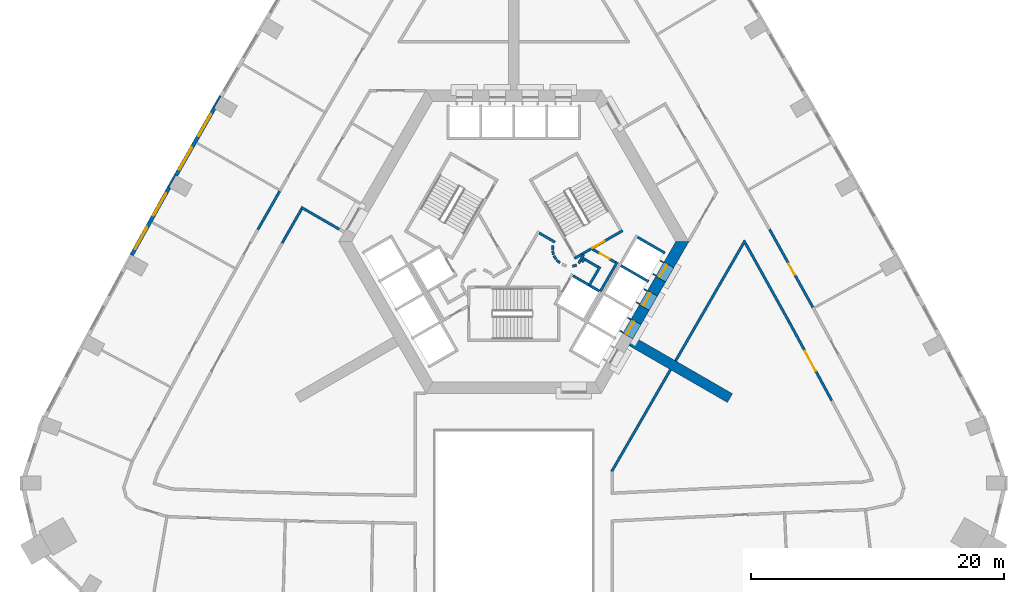
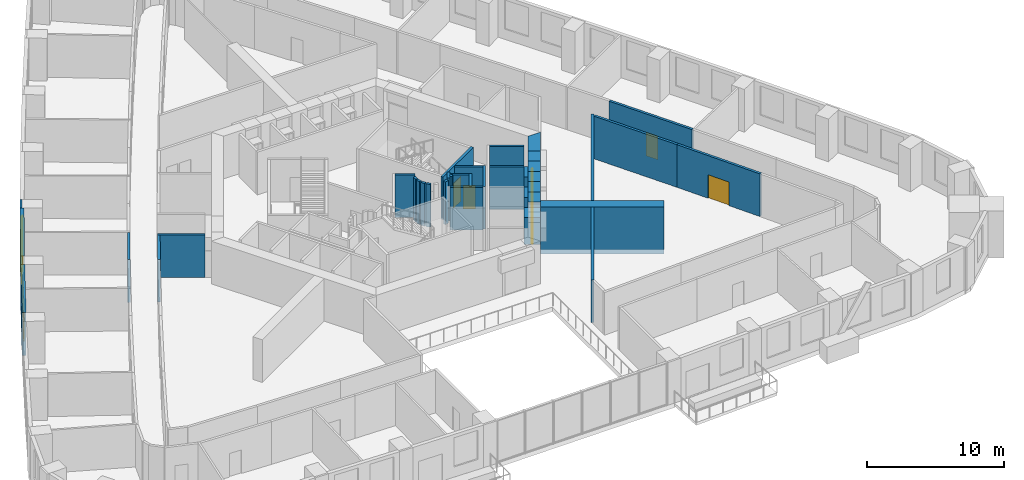
# One storey, part 7 of 14: 38 walls, 7 doors, 4 windows, 11 openings.
"""IFC4 building model written with IfcOpenShell, lengths in metres."""

from ifc_helpers import new_model, si_unit, direction, frame, frame_2d, origin, place, context, subcontext, project, spatial, polyline, rectangle, outline, extrude, material, layer, layer_set, type_object, element, fill, save


model = new_model("IFC4")

# Units and contexts
model_context = context("Model", 3, precision=1e-05, world=origin(), true_north=direction((0.0, 1.0)))
body_context = subcontext(model_context, "Body", "Model", "MODEL_VIEW")
ifc_project = project(units=[si_unit("LENGTHUNIT", "METRE"), si_unit("AREAUNIT", "SQUARE_METRE"), si_unit("VOLUMEUNIT", "CUBIC_METRE"), si_unit("PLANEANGLEUNIT", "RADIAN"), si_unit("MASSUNIT", "GRAM", prefix="KILO")], contexts=[model_context])

# Site, building, storey
site_placement = place(None, origin())
site = spatial("IfcSite", under=ifc_project, at=site_placement, CompositionType="ELEMENT")
building_placement = place(site_placement, origin())
building = spatial("IfcBuilding", under=site, at=building_placement, Name="Entoto Arch Interchange Tower", CompositionType="ELEMENT")
storey_placement = place(building_placement, frame((0.0, 0.0, 116.0)))
storey = spatial("IfcBuildingStorey", under=building, at=storey_placement, Name="L25", CompositionType="ELEMENT", Elevation=116.0)

# Walls
ifc_material_1 = material(Name="Concrete C60/75", Category="concrete")
ifc_layer_1 = layer(ifc_material_1, 0.800048828125)
ifc_layer_set_1 = layer_set([ifc_layer_1], Name="Concrete C60/75")
wall_type_1 = type_object("IfcWallType", Name="Buttress wall 800 C60/75", PredefinedType="SHEAR", material=ifc_layer_set_1)
wall_1_placement = place(storey_placement, frame((9.31005859375, -5.375, -0.39990234375), z_axis=(0.0, 0.0, 1.0), x_axis=(0.866017533419, -0.500013631625, 0.0)))
element("IfcWall", 1, at=wall_1_placement, inside=storey, type_object=wall_type_1, Name="Buttress wall SE L25", PredefinedType="SHEAR", context=body_context, shape_type="SweptSolid", body=[
    extrude(rectangle(XDim=8.999755859375, YDim=0.800048828125, at=frame_2d((4.5, 0.0))), origin(), (0.0, 0.0, 1.0), 4.199951171875),
])
ifc_layer_2 = layer(ifc_material_1, 0.89990234375)
ifc_layer_set_2 = layer_set([ifc_layer_2], Name="Concrete C60/75")
wall_type_2 = type_object("IfcWallType", Name="Core wall 900 C60/75", PredefinedType="SHEAR", material=ifc_layer_set_2)
wall_2_placement = place(storey_placement, frame((0.0, 0.0, -0.39990234375)))
element("IfcWall", 2, at=wall_2_placement, inside=storey, type_object=wall_type_2, Name="Core wall SE L25", PredefinedType="SHEAR", context=body_context, shape_type="SweptSolid", body=[
    extrude(outline(polyline([(10.717041015625, -2.93701171875), (9.93798828125, -2.487060546875), (9.2880859375, -3.613037109375), (10.06689453125, -4.06298828125), (10.717041015625, -2.93701171875)])), origin(), (0.0, 0.0, 1.0), 4.199951171875),
])
wall_3_placement = place(storey_placement, frame((0.0, 0.0, -0.39990234375)))
element("IfcWall", 3, at=wall_3_placement, inside=storey, type_object=wall_type_2, Name="Core wall SE L25", PredefinedType="SHEAR", context=body_context, shape_type="SweptSolid", body=[
    extrude(outline(polyline([(12.01708984375, -0.68603515625), (11.238037109375, -0.236083984375), (10.587890625, -1.361083984375), (11.366943359375, -1.81103515625), (12.01708984375, -0.68603515625)])), origin(), (0.0, 0.0, 1.0), 4.199951171875),
])
wall_4_placement = place(storey_placement, frame((0.0, 0.0, -0.39990234375)))
element("IfcWall", 4, at=wall_4_placement, inside=storey, type_object=wall_type_2, Name="Core wall SE L25", PredefinedType="SHEAR", context=body_context, shape_type="SweptSolid", body=[
    extrude(outline(polyline([(11.887939453125, 0.889892578125), (12.6669921875, 0.43994140625), (13.85595703125, 2.5), (12.81689453125, 2.5), (11.887939453125, 0.889892578125)])), origin(), (0.0, 0.0, 1.0), 4.199951171875),
])
wall_5_placement = place(storey_placement, frame((0.0, 0.0, 3.60009765625)))
element("IfcWall", 5, at=wall_5_placement, inside=storey, type_object=wall_type_2, Name="Core wall lintel SE L25", PredefinedType="SHEAR", context=body_context, shape_type="SweptSolid", body=[
    extrude(outline(polyline([(10.06689453125, -4.06298828125), (9.2880859375, -3.613037109375), (8.637939453125, -4.739013671875), (9.4169921875, -5.18896484375), (10.06689453125, -4.06298828125)])), origin(), (0.0, 0.0, 1.0), 0.199951171875),
])
wall_6_placement = place(storey_placement, frame((0.0, 0.0, 3.60009765625)))
element("IfcWall", 6, at=wall_6_placement, inside=storey, type_object=wall_type_2, Name="Core wall lintel SE L25", PredefinedType="SHEAR", context=body_context, shape_type="SweptSolid", body=[
    extrude(outline(polyline([(11.366943359375, -1.81103515625), (10.587890625, -1.361083984375), (9.93798828125, -2.487060546875), (10.717041015625, -2.93701171875), (11.366943359375, -1.81103515625)])), origin(), (0.0, 0.0, 1.0), 0.199951171875),
])
wall_7_placement = place(storey_placement, frame((0.0, 0.0, 3.60009765625)))
element("IfcWall", 7, at=wall_7_placement, inside=storey, type_object=wall_type_2, Name="Core wall lintel SE L25", PredefinedType="SHEAR", context=body_context, shape_type="SweptSolid", body=[
    extrude(outline(polyline([(12.6669921875, 0.43994140625), (11.887939453125, 0.889892578125), (11.238037109375, -0.236083984375), (12.01708984375, -0.68603515625), (12.6669921875, 0.43994140625)])), origin(), (0.0, 0.0, 1.0), 0.199951171875),
])

# Wall, opening, door
ifc_material_2 = material(Name="Concrete C40/50", Category="concrete")
ifc_layer_3 = layer(ifc_material_2, 1.199951171875)
ifc_layer_set_3 = layer_set([ifc_layer_3], Name="Concrete C40/50")
wall_type_3 = type_object("IfcWallType", Name="LIFT LANDING INFILL WALL", PredefinedType="STANDARD", material=ifc_layer_set_3)
wall_8_placement = place(storey_placement, frame((8.89794921875, -4.888916015625, 0.0), z_axis=(0.0, 0.0, 1.0), x_axis=(0.500036693733, 0.866004217611, 0.0)))
wall_8 = element("IfcWall", 8, at=wall_8_placement, inside=storey, type_object=wall_type_3, Name="Lift landing infill wall LR6 L25", PredefinedType="STANDARD", context=body_context, shape_type="SweptSolid", body=[
    extrude(rectangle(XDim=1.30029296875, YDim=1.199951171875, at=frame_2d((0.650146484375, 0.0))), origin(), (0.0, 0.0, 1.0), 2.39990234375),
])
opening_1_placement = place(wall_8_placement, frame((0.10009765625, 0.0, 0.0)))
opening_1 = element("IfcOpeningElement", 9, at=opening_1_placement, cuts=wall_8, Name="Opening LD-LR6-L25", PredefinedType="OPENING", context=body_context, shape_type="SweptSolid", body=[
    extrude(rectangle(XDim=1.10009765625, YDim=2.300048828125, at=frame_2d((0.550048828125, 1.14990234375))), frame((0.0, 0.60986328125, 0.0), z_axis=(0.0, -1.0, 0.0), x_axis=(1.0, 0.0, 0.0)), (0.0, 0.0, 1.0), 1.219970703125),
])
ifc_material_3 = material(Name="Stainless steel 1.4301 panels", Category="steel")
door_type_1 = type_object("IfcDoorType", Name="LIFT LANDING DOOR LD2 1100x2300", OperationType="SLIDING_TO_LEFT", PredefinedType="DOOR", material=ifc_material_3)
door_1_placement = place(opening_1_placement, origin())
door_1 = element("IfcDoor", 10, at=door_1_placement, inside=storey, type_object=door_type_1, Name="Lift landing door LR6 L25", OperationType="SLIDING_TO_LEFT", OverallHeight=2.300048828125, OverallWidth=1.10009765625, PredefinedType="DOOR", context=body_context, shape_type="SweptSolid", body=[
    extrude(rectangle(XDim=1.10009765625, YDim=2.300048828125, at=frame_2d((0.550048828125, 1.14990234375))), frame((0.0, 0.02490234375, 0.0), z_axis=(0.0, -1.0, 0.0), x_axis=(1.0, 0.0, 0.0)), (0.0, 0.0, 1.0), 0.050048828125),
])
fill(opening_1, door_1)

wall_9_placement = place(storey_placement, frame((10.197998046875, -2.636962890625, 0.0), z_axis=(0.0, 0.0, 1.0), x_axis=(0.49989585183, 0.866085525409, 0.0)))
wall_9 = element("IfcWall", 11, at=wall_9_placement, inside=storey, type_object=wall_type_3, Name="Lift landing infill wall LR7 L25", PredefinedType="STANDARD", context=body_context, shape_type="SweptSolid", body=[
    extrude(rectangle(XDim=1.300048828125, YDim=1.199951171875, at=frame_2d((0.64990234375, 0.0))), origin(), (0.0, 0.0, 1.0), 2.39990234375),
])
opening_2_placement = place(wall_9_placement, frame((0.10009765625, 0.0, 0.0)))
opening_2 = element("IfcOpeningElement", 12, at=opening_2_placement, cuts=wall_9, Name="Opening LD-LR7-L25", PredefinedType="OPENING", context=body_context, shape_type="SweptSolid", body=[
    extrude(rectangle(XDim=1.10009765625, YDim=2.300048828125, at=frame_2d((0.550048828125, 1.14990234375))), frame((0.0, 0.60986328125, 0.0), z_axis=(0.0, -1.0, 0.0), x_axis=(1.0, 0.0, 0.0)), (0.0, 0.0, 1.0), 1.219970703125),
])
door_2_placement = place(opening_2_placement, origin())
door_2 = element("IfcDoor", 13, at=door_2_placement, inside=storey, type_object=door_type_1, Name="Lift landing door LR7 L25", OperationType="SLIDING_TO_LEFT", OverallHeight=2.300048828125, OverallWidth=1.10009765625, PredefinedType="DOOR", context=body_context, shape_type="SweptSolid", body=[
    extrude(rectangle(XDim=1.10009765625, YDim=2.300048828125, at=frame_2d((0.550048828125, 1.14990234375))), frame((0.0, 0.02490234375, 0.0), z_axis=(0.0, -1.0, 0.0), x_axis=(1.0, 0.0, 0.0)), (0.0, 0.0, 1.0), 0.050048828125),
])
fill(opening_2, door_2)

wall_10_placement = place(storey_placement, frame((11.498046875, -0.385009765625, 0.0), z_axis=(0.0, 0.0, 1.0), x_axis=(0.500221244143, 0.865897630733, 0.0)))
wall_10 = element("IfcWall", 14, at=wall_10_placement, inside=storey, type_object=wall_type_3, Name="Lift landing infill wall LR8 L25", PredefinedType="STANDARD", context=body_context, shape_type="SweptSolid", body=[
    extrude(rectangle(XDim=1.29931640625, YDim=1.199951171875, at=frame_2d((0.649658203125, 0.0))), origin(), (0.0, 0.0, 1.0), 2.39990234375),
])
opening_3_placement = place(wall_10_placement, frame((0.10009765625, 0.0, 0.0)))
opening_3 = element("IfcOpeningElement", 15, at=opening_3_placement, cuts=wall_10, Name="Opening LD-LR8-L25", PredefinedType="OPENING", context=body_context, shape_type="SweptSolid", body=[
    extrude(rectangle(XDim=1.10009765625, YDim=2.300048828125, at=frame_2d((0.550048828125, 1.14990234375))), frame((0.0, 0.60986328125, 0.0), z_axis=(0.0, -1.0, 0.0), x_axis=(1.0, 0.0, 0.0)), (0.0, 0.0, 1.0), 1.219970703125),
])
door_3_placement = place(opening_3_placement, origin())
door_3 = element("IfcDoor", 16, at=door_3_placement, inside=storey, type_object=door_type_1, Name="Lift landing door LR8 L25", OperationType="SLIDING_TO_LEFT", OverallHeight=2.300048828125, OverallWidth=1.10009765625, PredefinedType="DOOR", context=body_context, shape_type="SweptSolid", body=[
    extrude(rectangle(XDim=1.10009765625, YDim=2.300048828125, at=frame_2d((0.550048828125, 1.14990234375))), frame((0.0, 0.02490234375, 0.0), z_axis=(0.0, -1.0, 0.0), x_axis=(1.0, 0.0, 0.0)), (0.0, 0.0, 1.0), 0.050048828125),
])
fill(opening_3, door_3)

# Walls
ifc_layer_4 = layer(ifc_material_2, 0.199951171875)
ifc_layer_set_4 = layer_set([ifc_layer_4], Name="Concrete C40/50")
wall_type_4 = type_object("IfcWallType", Name="LIFT SHAFT WALL 200", PredefinedType="STANDARD", material=ifc_layer_set_4)
wall_11_placement = place(storey_placement, frame((4.677001953125, -0.199951171875, 0.0), z_axis=(0.0, 0.0, 1.0), x_axis=(0.865973769406, -0.500089422704, 0.0)))
element("IfcWall", 17, at=wall_11_placement, inside=storey, type_object=wall_type_4, Name="Shaft wall SE1 cross 2", PredefinedType="STANDARD", context=body_context, shape_type="SweptSolid", body=[
    extrude(rectangle(XDim=2.3994140625, YDim=0.199951171875, at=frame_2d((1.19970703125, 0.0))), origin(), (0.0, 0.0, 1.0), 3.800048828125),
])
wall_12_placement = place(storey_placement, frame((8.488037109375, 0.60205078125, 0.0), z_axis=(0.0, 0.0, 1.0), x_axis=(0.866022959057, -0.500004234368, 0.0)))
element("IfcWall", 18, at=wall_12_placement, inside=storey, type_object=wall_type_4, Name="Shaft wall SE3 cross 4", PredefinedType="STANDARD", context=body_context, shape_type="SweptSolid", body=[
    extrude(rectangle(XDim=2.5, YDim=0.199951171875, at=frame_2d((1.25, 0.0))), origin(), (0.0, 0.0, 1.0), 3.800048828125),
])
wall_13_placement = place(storey_placement, frame((9.7880859375, 2.85302734375, 0.0), z_axis=(0.0, 0.0, 1.0), x_axis=(0.865998541277, -0.500046524342, 0.0)))
element("IfcWall", 19, at=wall_13_placement, inside=storey, type_object=wall_type_4, Name="Shaft wall SE3 cross 5", PredefinedType="STANDARD", context=body_context, shape_type="SweptSolid", body=[
    extrude(rectangle(XDim=2.499755859375, YDim=0.199951171875, at=frame_2d((1.25, 0.0))), origin(), (0.0, 0.0, 1.0), 3.800048828125),
])

# Wall, opening, door
ifc_material_4 = material(Name="Gypsum board partition on steel studs", Category="steel")
ifc_layer_5 = layer(ifc_material_4, 0.199951171875)
ifc_layer_set_5 = layer_set([ifc_layer_5], Name="Gypsum board partition on steel studs")
wall_type_5 = type_object("IfcWallType", Name="PARTITION 200", PredefinedType="PARTITIONING", material=ifc_layer_set_5)
wall_14_placement = place(storey_placement, frame((25.153076171875, -10.06494140625, 0.0), z_axis=(0.0, 0.0, 1.0), x_axis=(-0.476124717613, 0.87937776483, 0.0)))
wall_14 = element("IfcWall", 20, at=wall_14_placement, inside=storey, type_object=wall_type_5, Name="wall:L25:p024", PredefinedType="PARTITIONING", context=body_context, shape_type="SweptSolid", body=[
    extrude(rectangle(XDim=7.099365234375, YDim=0.199951171875, at=frame_2d((3.5498046875, 0.0))), origin(), (0.0, 0.0, 1.0), 3.800048828125),
])
opening_4_placement = place(wall_14_placement, frame((2.64990234375, 0.0, 0.0)))
opening_4 = element("IfcOpeningElement", 21, at=opening_4_placement, cuts=wall_14, Name="Opening L25-D20", PredefinedType="OPENING", context=body_context, shape_type="SweptSolid", body=[
    extrude(rectangle(XDim=1.800048828125, YDim=2.10009765625, at=frame_2d((0.89990234375, 1.050048828125))), frame((0.0, 0.10986328125, 0.0), z_axis=(0.0, -1.0, 0.0), x_axis=(1.0, 0.0, 0.0)), (0.0, 0.0, 1.0), 0.219970703125),
])
ifc_material_5 = material(Name="Timber door leaf in Steel S235 frame", Category="steel")
door_type_2 = type_object("IfcDoorType", Name="DOOR DD-18 1800x2100", OperationType="DOUBLE_DOOR_SINGLE_SWING", PredefinedType="DOOR", material=ifc_material_5)
door_4_placement = place(opening_4_placement, origin())
door_4 = element("IfcDoor", 22, at=door_4_placement, inside=storey, type_object=door_type_2, Name="door:L25:20", OperationType="DOUBLE_DOOR_SINGLE_SWING", OverallHeight=2.10009765625, OverallWidth=1.800048828125, PredefinedType="DOOR", context=body_context, shape_type="SweptSolid", body=[
    extrude(rectangle(XDim=1.800048828125, YDim=2.10009765625, at=frame_2d((0.89990234375, 1.050048828125))), frame((0.0, 0.02490234375, 0.0), z_axis=(0.0, -1.0, 0.0), x_axis=(1.0, 0.0, 0.0)), (0.0, 0.0, 1.0), 0.050048828125),
])
fill(opening_4, door_4)

# Walls
wall_15_placement = place(storey_placement, frame((21.77294921875, -3.822021484375, 0.0), z_axis=(0.0, 0.0, 1.0), x_axis=(-0.485826874234, 0.874055060206, 0.0)))
element("IfcWall", 23, at=wall_15_placement, inside=storey, type_object=wall_type_5, Name="wall:L25:p025", PredefinedType="PARTITIONING", context=body_context, shape_type="SweptSolid", body=[
    extrude(rectangle(XDim=7.09912109375, YDim=0.199951171875, at=frame_2d((3.549560546875, 0.0))), origin(), (0.0, 0.0, 1.0), 3.800048828125),
])
wall_16_placement = place(storey_placement, frame((-16.782958984375, 5.087890625, 0.0), z_axis=(0.0, 0.0, 1.0), x_axis=(-0.495023676383, -0.868879485211, 0.0)))
element("IfcWall", 24, at=wall_16_placement, inside=storey, type_object=wall_type_5, Name="wall:L25:p027", PredefinedType="PARTITIONING", context=body_context, shape_type="SweptSolid", body=[
    extrude(rectangle(XDim=3.113037109375, YDim=0.199951171875, at=frame_2d((1.556640625, 0.0))), origin(), (0.0, 0.0, 1.0), 3.800048828125),
])

# Wall, opening, door
wall_17_placement = place(storey_placement, frame((20.241943359375, 3.4619140625, 0.0), z_axis=(0.0, 0.0, 1.0), x_axis=(0.485742937917, -0.874101709336, 0.0)))
wall_17 = element("IfcWall", 25, at=wall_17_placement, inside=storey, type_object=wall_type_5, Name="wall:L25:p046", PredefinedType="PARTITIONING", context=body_context, shape_type="SweptSolid", body=[
    extrude(rectangle(XDim=7.047119140625, YDim=0.199951171875, at=frame_2d((3.5234375, 0.0))), origin(), (0.0, 0.0, 1.0), 3.800048828125),
])
opening_5_placement = place(wall_17_placement, frame((3.09912109375, 0.0, 0.0)))
opening_5 = element("IfcOpeningElement", 26, at=opening_5_placement, cuts=wall_17, Name="Opening L25-D04", PredefinedType="OPENING", context=body_context, shape_type="SweptSolid", body=[
    extrude(rectangle(XDim=1.0, YDim=2.10009765625, at=frame_2d((0.5, 1.050048828125))), frame((0.0, 0.10986328125, 0.0), z_axis=(0.0, -1.0, 0.0), x_axis=(1.0, 0.0, 0.0)), (0.0, 0.0, 1.0), 0.219970703125),
])
door_type_3 = type_object("IfcDoorType", Name="DOOR DS-10 1000x2100", OperationType="SINGLE_SWING_LEFT", PredefinedType="DOOR", material=ifc_material_5)
door_5_placement = place(opening_5_placement, origin())
door_5 = element("IfcDoor", 27, at=door_5_placement, inside=storey, type_object=door_type_3, Name="door:L25:04", OperationType="SINGLE_SWING_LEFT", OverallHeight=2.10009765625, OverallWidth=1.0, PredefinedType="DOOR", context=body_context, shape_type="SweptSolid", body=[
    extrude(rectangle(XDim=1.0, YDim=2.10009765625, at=frame_2d((0.5, 1.050048828125))), frame((0.0, 0.02490234375, 0.0), z_axis=(0.0, -1.0, 0.0), x_axis=(1.0, 0.0, 0.0)), (0.0, 0.0, 1.0), 0.050048828125),
])
fill(opening_5, door_5)

# Walls
wall_18_placement = place(storey_placement, frame((-20.241943359375, 3.4619140625, 0.0), z_axis=(0.0, 0.0, 1.0), x_axis=(0.495309264725, 0.868716715781, 0.0)))
element("IfcWall", 28, at=wall_18_placement, inside=storey, type_object=wall_type_5, Name="wall:L25:p065", PredefinedType="PARTITIONING", context=body_context, shape_type="SweptSolid", body=[
    extrude(rectangle(XDim=3.48681640625, YDim=0.199951171875, at=frame_2d((1.743408203125, 0.0))), origin(), (0.0, 0.0, 1.0), 3.800048828125),
])
wall_19_placement = place(storey_placement, frame((5.389892578125, 0.89794921875, 0.0), z_axis=(0.0, 0.0, 1.0), x_axis=(0.673828488714, 0.738887791073, 0.0)))
element("IfcWall", 29, at=wall_19_placement, inside=storey, type_object=wall_type_5, Name="wall:L25:p078", PredefinedType="PARTITIONING", context=body_context, shape_type="SweptSolid", body=[
    extrude(rectangle(XDim=0.2626953125, YDim=0.199951171875, at=frame_2d((0.13134765625, 0.0))), origin(), (0.0, 0.0, 1.0), 3.800048828125),
])
wall_20_placement = place(storey_placement, frame((5.4990234375, 1.172119140625, 0.0), z_axis=(0.0, 0.0, 1.0), x_axis=(0.866333505267, -0.499465972466, 0.0)))
element("IfcWall", 30, at=wall_20_placement, inside=storey, type_object=wall_type_5, Name="wall:L25:p079", PredefinedType="PARTITIONING", context=body_context, shape_type="SweptSolid", body=[
    extrude(rectangle(XDim=1.37353515625, YDim=0.199951171875, at=frame_2d((0.686767578125, 0.0))), origin(), (0.0, 0.0, 1.0), 3.800048828125),
])
wall_21_placement = place(storey_placement, frame((6.825927734375, 0.52197265625, 0.0), z_axis=(0.0, 0.0, 1.0), x_axis=(-0.500016722714, -0.866015748706, 0.0)))
element("IfcWall", 31, at=wall_21_placement, inside=storey, type_object=wall_type_5, Name="wall:L25:p080", PredefinedType="PARTITIONING", context=body_context, shape_type="SweptSolid", body=[
    extrude(rectangle(XDim=1.69970703125, YDim=0.199951171875, at=frame_2d((0.849853515625, 0.0))), origin(), (0.0, 0.0, 1.0), 3.800048828125),
])

# Wall, opening, door
wall_22_placement = place(storey_placement, frame((6.25, 1.89404296875, 0.0), z_axis=(0.0, 0.0, 1.0), x_axis=(0.866043184279, -0.499969202016, 0.0)))
wall_22 = element("IfcWall", 32, at=wall_22_placement, inside=storey, type_object=wall_type_5, Name="wall:L25:p081", PredefinedType="PARTITIONING", context=body_context, shape_type="SweptSolid", body=[
    extrude(rectangle(XDim=2.084228515625, YDim=0.199951171875, at=frame_2d((1.0419921875, 0.0))), origin(), (0.0, 0.0, 1.0), 3.800048828125),
])
opening_6_placement = place(wall_22_placement, frame((0.64208984375, 0.0, 0.0)))
opening_6 = element("IfcOpeningElement", 33, at=opening_6_placement, cuts=wall_22, Name="Opening L25-D30", PredefinedType="OPENING", context=body_context, shape_type="SweptSolid", body=[
    extrude(rectangle(XDim=0.89990234375, YDim=2.10009765625, at=frame_2d((0.449951171875, 1.050048828125))), frame((0.0, 0.10986328125, 0.0), z_axis=(0.0, -1.0, 0.0), x_axis=(1.0, 0.0, 0.0)), (0.0, 0.0, 1.0), 0.219970703125),
])
door_type_4 = type_object("IfcDoorType", Name="DOOR DS-09 900x2100", OperationType="SINGLE_SWING_LEFT", PredefinedType="DOOR", material=ifc_material_5)
door_6_placement = place(opening_6_placement, origin())
door_6 = element("IfcDoor", 34, at=door_6_placement, inside=storey, type_object=door_type_4, Name="door:L25:30", OperationType="SINGLE_SWING_LEFT", OverallHeight=2.10009765625, OverallWidth=0.89990234375, PredefinedType="DOOR", context=body_context, shape_type="SweptSolid", body=[
    extrude(rectangle(XDim=0.89990234375, YDim=2.10009765625, at=frame_2d((0.449951171875, 1.050048828125))), frame((0.0, 0.02490234375, 0.0), z_axis=(0.0, -1.0, 0.0), x_axis=(1.0, 0.0, 0.0)), (0.0, 0.0, 1.0), 0.050048828125),
])
fill(opening_6, door_6)

# Walls
wall_23_placement = place(storey_placement, frame((8.19189453125, 0.887939453125, 0.0), z_axis=(0.0, 0.0, 1.0), x_axis=(-0.499940625693, -0.866059680843, 0.0)))
element("IfcWall", 35, at=wall_23_placement, inside=storey, type_object=wall_type_5, Name="wall:L25:p082", PredefinedType="PARTITIONING", context=body_context, shape_type="SweptSolid", body=[
    extrude(rectangle(XDim=2.679931640625, YDim=0.199951171875, at=frame_2d((1.33984375, 0.0))), origin(), (0.0, 0.0, 1.0), 3.800048828125),
])
wall_24_placement = place(storey_placement, frame((5.135009765625, 0.79296875, 0.0), z_axis=(0.0, 0.0, 1.0), x_axis=(0.499526442893, 0.866298639529, 0.0)))
element("IfcWall", 36, at=wall_24_placement, inside=storey, type_object=wall_type_5, Name="wall:L25:p083", PredefinedType="PARTITIONING", context=body_context, shape_type="SweptSolid", body=[
    extrude(rectangle(XDim=0.790771484375, YDim=0.199951171875, at=frame_2d((0.3955078125, 0.0))), origin(), (0.0, 0.0, 1.0), 3.800048828125),
])
wall_25_placement = place(storey_placement, frame((2.011962890625, 3.18603515625, 0.0), z_axis=(0.0, 0.0, 1.0), x_axis=(0.865891012941, -0.500232699559, 0.0)))
element("IfcWall", 37, at=wall_25_placement, inside=storey, type_object=wall_type_5, Name="wall:L25:p094", PredefinedType="PARTITIONING", context=body_context, shape_type="SweptSolid", body=[
    extrude(rectangle(XDim=1.449462890625, YDim=0.199951171875, at=frame_2d((0.724609375, 0.0))), origin(), (0.0, 0.0, 1.0), 3.800048828125),
])
wall_26_placement = place(storey_placement, frame((3.0791015625, 2.198974609375, 0.0), z_axis=(0.0, 0.0, 1.0), x_axis=(-0.047771483479, -0.998858290933, 0.0)))
element("IfcWall", 38, at=wall_26_placement, inside=storey, type_object=wall_type_5, Name="wall:L25:p095", PredefinedType="PARTITIONING", context=body_context, shape_type="SweptSolid", body=[
    extrude(rectangle(XDim=0.33740234375, YDim=0.199951171875, at=frame_2d((0.168701171875, 0.0))), origin(), (0.0, 0.0, 1.0), 3.800048828125),
])
wall_27_placement = place(storey_placement, frame((3.070068359375, 1.785888671875, 0.0), z_axis=(0.0, 0.0, 1.0), x_axis=(0.242705583207, -0.970099994784, 0.0)))
element("IfcWall", 39, at=wall_27_placement, inside=storey, type_object=wall_type_5, Name="wall:L25:p096", PredefinedType="PARTITIONING", context=body_context, shape_type="SweptSolid", body=[
    extrude(rectangle(XDim=0.337890625, YDim=0.199951171875, at=frame_2d((0.1689453125, 0.0))), origin(), (0.0, 0.0, 1.0), 3.800048828125),
])
for number, where, z_axis, x_axis, name in (
    (40, (3.181884765625, 1.387939453125, 0.0), (0.0, 0.0, 1.0), (0.512474702713, -0.85870232274, 0.0), "wall:L25:p097"),
    (41, (3.404052734375, 1.0390625, 0.0), (0.0, 0.0, 1.0), (0.740267097712, -0.672312891476, 0.0), "wall:L25:p098"),
):
    element("IfcWall", number, at=place(storey_placement, frame(where, z_axis=z_axis, x_axis=x_axis)), inside=storey, type_object=wall_type_5, Name=name, PredefinedType="PARTITIONING", context=body_context, shape_type="SweptSolid", body=[
        extrude(rectangle(XDim=0.337646484375, YDim=0.199951171875, at=frame_2d((0.1689453125, 0.0))), origin(), (0.0, 0.0, 1.0), 3.800048828125),
    ])
wall_28_placement = place(storey_placement, frame((4.64404296875, 0.56396484375, 0.0), z_axis=(0.0, 0.0, 1.0), x_axis=(0.969929076366, 0.243387729394, 0.0)))
element("IfcWall", 42, at=wall_28_placement, inside=storey, type_object=wall_type_5, Name="wall:L25:p100", PredefinedType="PARTITIONING", context=body_context, shape_type="SweptSolid", body=[
    extrude(rectangle(XDim=0.337158203125, YDim=0.199951171875, at=frame_2d((0.16845703125, 0.0))), origin(), (0.0, 0.0, 1.0), 3.800048828125),
])
wall_29_placement = place(storey_placement, frame((18.301025390625, 2.597900390625, 0.0), z_axis=(0.0, 0.0, 1.0), x_axis=(-0.49997732567, -0.866038494419, 0.0)))
element("IfcWall", 43, at=wall_29_placement, inside=storey, type_object=wall_type_5, Name="wall:L25:p116", PredefinedType="PARTITIONING", context=body_context, shape_type="SweptSolid", body=[
    extrude(rectangle(XDim=11.00048828125, YDim=0.199951171875, at=frame_2d((5.500244140625, 0.0))), origin(), (0.0, 0.0, 1.0), 3.800048828125),
])
wall_30_placement = place(storey_placement, frame((12.40087890625, -7.62109375, 0.0), z_axis=(0.0, 0.0, 1.0), x_axis=(-0.499983724212, -0.866034800411, 0.0)))
element("IfcWall", 44, at=wall_30_placement, inside=storey, type_object=wall_type_5, Name="wall:L25:p116", PredefinedType="PARTITIONING", context=body_context, shape_type="SweptSolid", body=[
    extrude(rectangle(XDim=9.302001953125, YDim=0.199951171875, at=frame_2d((4.65087890625, 0.0))), origin(), (0.0, 0.0, 1.0), 3.800048828125),
])
wall_31_placement = place(storey_placement, frame((-13.806884765625, 3.485107421875, 0.0), z_axis=(0.0, 0.0, 1.0), x_axis=(-0.865984597717, 0.500070671522, 0.0)))
element("IfcWall", 45, at=wall_31_placement, inside=storey, type_object=wall_type_5, Name="wall:L25:p026", PredefinedType="PARTITIONING", context=body_context, shape_type="SweptSolid", body=[
    extrude(rectangle(XDim=3.4794921875, YDim=0.199951171875, at=frame_2d((1.73974609375, 0.0))), origin(), (0.0, 0.0, 1.0), 3.800048828125),
])

# Wall, opening, door
ifc_layer_6 = layer(ifc_material_2, 0.199951171875)
ifc_layer_set_6 = layer_set([ifc_layer_6], Name="Concrete C40/50")
wall_type_6 = type_object("IfcWallType", Name="STAIR ENCLOSURE WALL 200", PredefinedType="STANDARD", material=ifc_layer_set_6)
wall_32_placement = place(storey_placement, frame((4.805908203125, 1.176025390625, 0.0), z_axis=(0.0, 0.0, 1.0), x_axis=(0.866059941101, 0.499940174841, 0.0)))
wall_32 = element("IfcWall", 46, at=wall_32_placement, inside=storey, type_object=wall_type_6, Name="Stair wall ST-NE near", PredefinedType="STANDARD", context=body_context, shape_type="SweptSolid", body=[
    extrude(rectangle(XDim=4.400390625, YDim=0.199951171875, at=frame_2d((2.2001953125, 0.0))), origin(), (0.0, 0.0, 1.0), 3.800048828125),
])
opening_7_placement = place(wall_32_placement, frame((1.64990234375, 0.0, 0.0)))
opening_7 = element("IfcOpeningElement", 47, at=opening_7_placement, cuts=wall_32, Name="Opening SD-ST-NE-L25-E", PredefinedType="OPENING", context=body_context, shape_type="SweptSolid", body=[
    extrude(rectangle(XDim=1.10009765625, YDim=2.199951171875, at=frame_2d((0.550048828125, 1.10009765625))), frame((0.0, 0.10986328125, 0.0), z_axis=(0.0, -1.0, 0.0), x_axis=(1.0, 0.0, 0.0)), (0.0, 0.0, 1.0), 0.219970703125),
])
ifc_material_6 = material(Name="Steel S235", Category="steel")
door_type_5 = type_object("IfcDoorType", Name="STAIR DOOR SD1 1100x2200", OperationType="SINGLE_SWING_LEFT", PredefinedType="DOOR", material=ifc_material_6)
door_7_placement = place(opening_7_placement, origin())
door_7 = element("IfcDoor", 48, at=door_7_placement, inside=storey, type_object=door_type_5, Name="Stair door ST-NE L25 end", OperationType="SINGLE_SWING_LEFT", OverallHeight=2.199951171875, OverallWidth=1.10009765625, PredefinedType="DOOR", context=body_context, shape_type="SweptSolid", body=[
    extrude(rectangle(XDim=1.10009765625, YDim=2.199951171875, at=frame_2d((0.550048828125, 1.10009765625))), frame((0.0, 0.02490234375, 0.0), z_axis=(0.0, -1.0, 0.0), x_axis=(1.0, 0.0, 0.0)), (0.0, 0.0, 1.0), 0.050048828125),
])
fill(opening_7, door_7)

# Wall, openings, windows
ifc_material_7 = material(Name="Welded tuff (ignimbrite) cladding, warm buff", Category="masonry")
ifc_layer_7 = layer(ifc_material_7, 0.300048828125)
ifc_layer_set_7 = layer_set([ifc_layer_7], Name="Welded tuff (ignimbrite) cladding, warm buff")
wall_type_7 = type_object("IfcWallType", Name="STONE INFILL WALL 300", PredefinedType="STANDARD", material=ifc_layer_set_7)
wall_33_placement = place(storey_placement, frame((-23.697998046875, 13.048095703125, 0.0), z_axis=(0.0, 0.0, 1.0), x_axis=(-0.495114366991, -0.868827810098, 0.0)))
wall_33 = element("IfcWall", 49, at=wall_33_placement, inside=storey, type_object=wall_type_7, Name="Facade wall NW-05 L25", PredefinedType="STANDARD", context=body_context, shape_type="SweptSolid", body=[
    extrude(rectangle(XDim=6.109619140625, YDim=0.300048828125, at=frame_2d((3.0546875, 0.0))), origin(), (0.0, 0.0, 1.0), 3.800048828125),
])
opening_8_placement = place(wall_33_placement, frame((0.527099609375, 0.0, 0.89990234375)))
opening_8 = element("IfcOpeningElement", 50, at=opening_8_placement, cuts=wall_33, Name="Opening WO-C", PredefinedType="OPENING", context=body_context, shape_type="SweptSolid", body=[
    extrude(rectangle(XDim=2.0, YDim=2.60009765625, at=frame_2d((1.0, 1.300048828125))), frame((0.0, 0.16015625, 0.0), z_axis=(0.0, -1.0, 0.0), x_axis=(1.0, 0.0, 0.0)), (0.0, 0.0, 1.0), 0.320068359375),
])
opening_9_placement = place(wall_33_placement, frame((3.58203125, 0.0, 0.89990234375)))
opening_9 = element("IfcOpeningElement", 51, at=opening_9_placement, cuts=wall_33, Name="Opening WO-C", PredefinedType="OPENING", context=body_context, shape_type="SweptSolid", body=[
    extrude(rectangle(XDim=2.0, YDim=2.60009765625, at=frame_2d((1.0, 1.300048828125))), frame((0.0, 0.16015625, 0.0), z_axis=(0.0, -1.0, 0.0), x_axis=(1.0, 0.0, 0.0)), (0.0, 0.0, 1.0), 0.320068359375),
])
ifc_material_8 = material(Name="Clear glass, low-e double glazed", Category="glass")
window_type = type_object("IfcWindowType", Name="WINDOW WO-C 2000x2600", PartitioningType="DOUBLE_PANEL_VERTICAL", PredefinedType="WINDOW", material=ifc_material_8)
window_1_placement = place(opening_8_placement, origin())
window_1 = element("IfcWindow", 52, at=window_1_placement, inside=storey, type_object=window_type, Name="Window WO-C NW-05 L25", OverallHeight=2.60009765625, OverallWidth=2.0, PartitioningType="SINGLE_PANEL", PredefinedType="WINDOW", context=body_context, shape_type="SweptSolid", body=[
    extrude(rectangle(XDim=2.0, YDim=2.60009765625, at=frame_2d((1.0, 1.300048828125))), frame((0.0, 0.030029296875, 0.0), z_axis=(0.0, -1.0, 0.0), x_axis=(1.0, 0.0, 0.0)), (0.0, 0.0, 1.0), 0.06005859375),
])
fill(opening_8, window_1)
window_2_placement = place(opening_9_placement, origin())
window_2 = element("IfcWindow", 53, at=window_2_placement, inside=storey, type_object=window_type, Name="Window WO-C NW-05 L25", OverallHeight=2.60009765625, OverallWidth=2.0, PartitioningType="SINGLE_PANEL", PredefinedType="WINDOW", context=body_context, shape_type="SweptSolid", body=[
    extrude(rectangle(XDim=2.0, YDim=2.60009765625, at=frame_2d((1.0, 1.300048828125))), frame((0.0, 0.030029296875, 0.0), z_axis=(0.0, -1.0, 0.0), x_axis=(1.0, 0.0, 0.0)), (0.0, 0.0, 1.0), 0.06005859375),
])
fill(opening_9, window_2)

wall_34_placement = place(storey_placement, frame((-27.261962890625, 6.783935546875, 0.0), z_axis=(0.0, 0.0, 1.0), x_axis=(-0.485822751649, -0.874057351654, 0.0)))
wall_34 = element("IfcWall", 54, at=wall_34_placement, inside=storey, type_object=wall_type_7, Name="Facade wall NW-06 L25", PredefinedType="STANDARD", context=body_context, shape_type="SweptSolid", body=[
    extrude(rectangle(XDim=6.109375, YDim=0.300048828125, at=frame_2d((3.0546875, 0.0))), origin(), (0.0, 0.0, 1.0), 3.800048828125),
])
opening_10_placement = place(wall_34_placement, frame((0.527099609375, 0.0, 0.89990234375)))
opening_10 = element("IfcOpeningElement", 55, at=opening_10_placement, cuts=wall_34, Name="Opening WO-C", PredefinedType="OPENING", context=body_context, shape_type="SweptSolid", body=[
    extrude(rectangle(XDim=2.0, YDim=2.60009765625, at=frame_2d((1.0, 1.300048828125))), frame((0.0, 0.16015625, 0.0), z_axis=(0.0, -1.0, 0.0), x_axis=(1.0, 0.0, 0.0)), (0.0, 0.0, 1.0), 0.320068359375),
])
opening_11_placement = place(wall_34_placement, frame((3.58203125, 0.0, 0.89990234375)))
opening_11 = element("IfcOpeningElement", 56, at=opening_11_placement, cuts=wall_34, Name="Opening WO-C", PredefinedType="OPENING", context=body_context, shape_type="SweptSolid", body=[
    extrude(rectangle(XDim=2.0, YDim=2.60009765625, at=frame_2d((1.0, 1.300048828125))), frame((0.0, 0.16015625, 0.0), z_axis=(0.0, -1.0, 0.0), x_axis=(1.0, 0.0, 0.0)), (0.0, 0.0, 1.0), 0.320068359375),
])
window_3_placement = place(opening_10_placement, origin())
window_3 = element("IfcWindow", 57, at=window_3_placement, inside=storey, type_object=window_type, Name="Window WO-C NW-06 L25", OverallHeight=2.60009765625, OverallWidth=2.0, PartitioningType="SINGLE_PANEL", PredefinedType="WINDOW", context=body_context, shape_type="SweptSolid", body=[
    extrude(rectangle(XDim=2.0, YDim=2.60009765625, at=frame_2d((1.0, 1.300048828125))), frame((0.0, 0.030029296875, 0.0), z_axis=(0.0, -1.0, 0.0), x_axis=(1.0, 0.0, 0.0)), (0.0, 0.0, 1.0), 0.06005859375),
])
fill(opening_10, window_3)
window_4_placement = place(opening_11_placement, origin())
window_4 = element("IfcWindow", 58, at=window_4_placement, inside=storey, type_object=window_type, Name="Window WO-C NW-06 L25", OverallHeight=2.60009765625, OverallWidth=2.0, PartitioningType="SINGLE_PANEL", PredefinedType="WINDOW", context=body_context, shape_type="SweptSolid", body=[
    extrude(rectangle(XDim=2.0, YDim=2.60009765625, at=frame_2d((1.0, 1.300048828125))), frame((0.0, 0.030029296875, 0.0), z_axis=(0.0, -1.0, 0.0), x_axis=(1.0, 0.0, 0.0)), (0.0, 0.0, 1.0), 0.06005859375),
])
fill(opening_11, window_4)

# Walls
ifc_layer_8 = layer(ifc_material_7, 0.14990234375)
ifc_layer_set_8 = layer_set([ifc_layer_8], Name="Welded tuff (ignimbrite) cladding, warm buff")
wall_type_8 = type_object("IfcWallType", Name="STONE PIER CLADDING 150", PredefinedType="STANDARD", material=ifc_layer_set_8)
wall_35_placement = place(storey_placement, frame((-23.216064453125, 14.0390625, 0.0), z_axis=(0.0, 0.0, 1.0), x_axis=(-0.499837685251, -0.86611909597, 0.0)))
element("IfcWall", 59, at=wall_35_placement, inside=storey, type_object=wall_type_8, Name="Stone pier NW05 L25", PredefinedType="STANDARD", context=body_context, shape_type="SweptSolid", body=[
    extrude(rectangle(XDim=1.100341796875, YDim=0.14990234375, at=frame_2d((0.55029296875, 0.0))), origin(), (0.0, 0.0, 1.0), 3.800048828125),
])
wall_36_placement = place(storey_placement, frame((-26.791015625, 7.780029296875, 0.0), z_axis=(0.0, 0.0, 1.0), x_axis=(-0.490008344094, -0.871717742574, 0.0)))
element("IfcWall", 60, at=wall_36_placement, inside=storey, type_object=wall_type_8, Name="Stone pier NW06 L25", PredefinedType="STANDARD", context=body_context, shape_type="SweptSolid", body=[
    extrude(rectangle(XDim=1.10009765625, YDim=0.14990234375, at=frame_2d((0.550048828125, 0.0))), origin(), (0.0, 0.0, 1.0), 3.800048828125),
])

save(model, "model.ifc")
